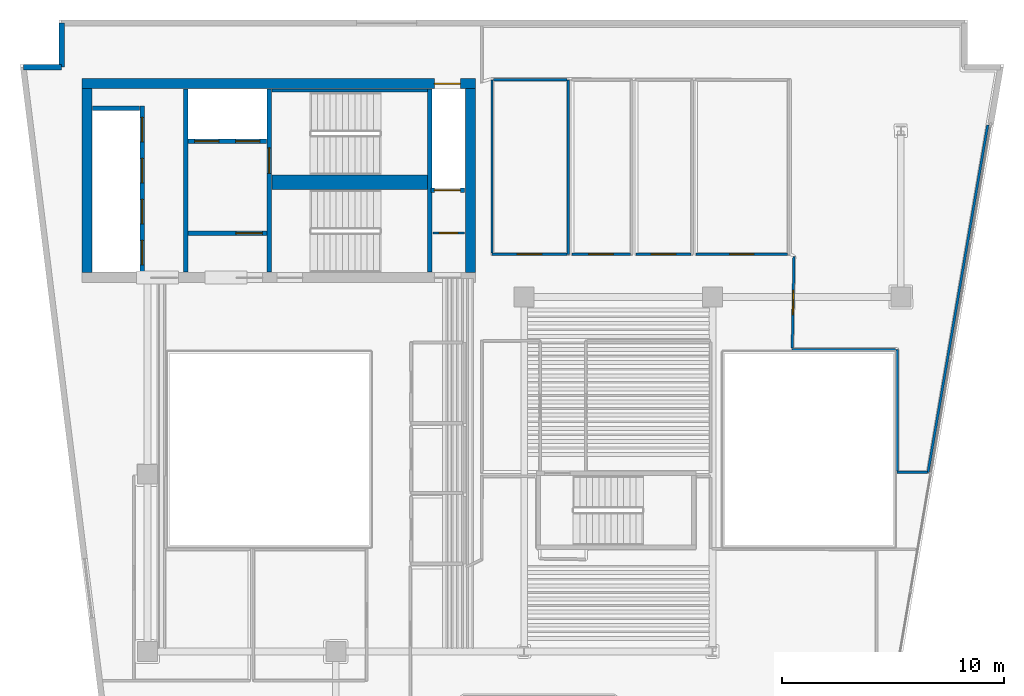
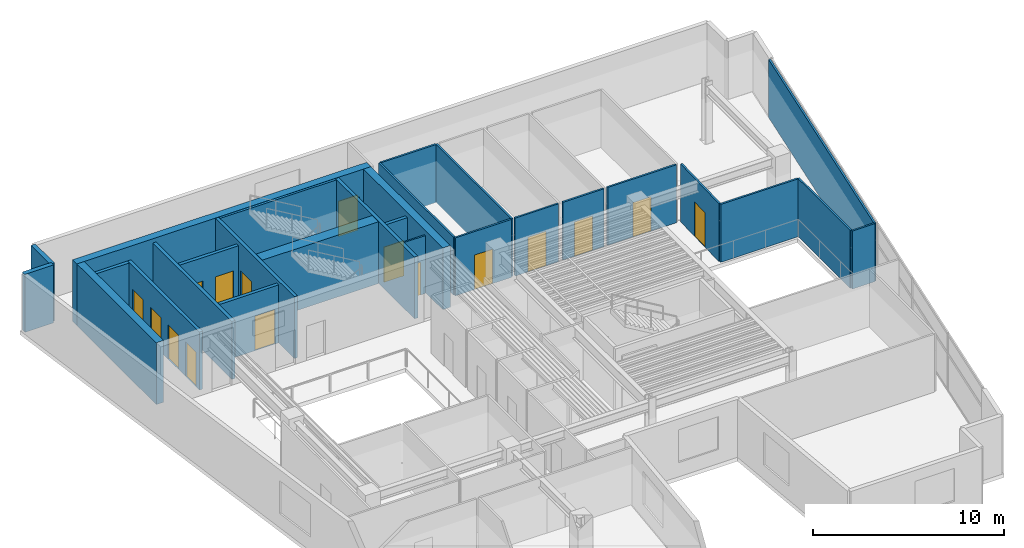
# One storey, part 5 of 9: 28 walls, 16 doors, 16 openings.
"""IFC4 building model written with IfcOpenShell, lengths in metres."""

from ifc_helpers import new_model, si_unit, direction, frame, frame_2d, origin, place, context, subcontext, project, spatial, rectangle, extrude, material, layer, layer_set, type_object, element, fill, save


model = new_model("IFC4")

# Units and contexts
model_context = context("Model", 3, precision=1e-05, world=origin(), true_north=direction((0.0, 1.0)))
body_context = subcontext(model_context, "Body", "Model", "MODEL_VIEW")
ifc_project = project(units=[si_unit("LENGTHUNIT", "METRE"), si_unit("AREAUNIT", "SQUARE_METRE"), si_unit("VOLUMEUNIT", "CUBIC_METRE"), si_unit("PLANEANGLEUNIT", "RADIAN"), si_unit("MASSUNIT", "GRAM", prefix="KILO")], contexts=[model_context])

# Site, building, storey
site_placement = place(None, origin())
site = spatial("IfcSite", under=ifc_project, at=site_placement, CompositionType="ELEMENT")
building_placement = place(site_placement, origin())
building = spatial("IfcBuilding", under=site, at=building_placement, Name="Caeloran Harvest Quay", CompositionType="ELEMENT")
storey_placement = place(building_placement, frame((0.0, 0.0, 199.550048828125)))
storey = spatial("IfcBuildingStorey", under=building, at=storey_placement, Name="L47", CompositionType="ELEMENT", Elevation=199.550048828125)

# Walls
ifc_material_1 = material(Name="Precast concrete C50/60", Category="concrete")
ifc_layer_1 = layer(ifc_material_1, 0.260009765625, Name="Precast concrete C50/60")
ifc_layer_set_1 = layer_set([ifc_layer_1], Name="Precast concrete C50/60")
wall_type_1 = type_object("IfcWallType", Name="ENV-WALL-EW-260", PredefinedType="STANDARD", material=ifc_layer_set_1)
wall_1_placement = place(storey_placement, frame((2.89599609375, 41.3701171875, 0.0), z_axis=(0.0, 0.0, 1.0), x_axis=(1.0, 0.0, 0.0)))
element("IfcWall", 1, at=wall_1_placement, inside=storey, type_object=wall_type_1, Name="L47 Exterior Precast Concrete Facade Wall 4", PredefinedType="STANDARD", context=body_context, shape_type="SweptSolid", body=[
    extrude(rectangle(XDim=1.73388671875, YDim=0.260009765625, at=frame_2d((0.866943359375, 0.0))), origin(), (0.0, 0.0, 1.0), 3.699951171875),
])
wall_2_placement = place(storey_placement, frame((4.6298828125, 41.3701171875, 0.0), z_axis=(0.0, 0.0, 1.0), x_axis=(0.0, 1.0, 0.0)))
element("IfcWall", 2, at=wall_2_placement, inside=storey, type_object=wall_type_1, Name="L47 Exterior Precast Concrete Facade Wall 5", PredefinedType="STANDARD", context=body_context, shape_type="SweptSolid", body=[
    extrude(rectangle(XDim=2.0, YDim=0.260009765625, at=frame_2d((1.0, 0.0))), origin(), (0.0, 0.0, 1.0), 3.699951171875),
])

# Wall, opening, door
ifc_material_2 = material(Name="Fire-Resisting Gypsum Core Riser Partition", Category="gypsum")
ifc_layer_2 = layer(ifc_material_2, 0.10009765625, Name="Fire-Resisting Gypsum Core Riser Partition")
ifc_layer_set_2 = layer_set([ifc_layer_2], Name="Fire-Resisting Gypsum Core Riser Partition")
wall_type_2 = type_object("IfcWallType", Name="INT-WALL-PW-100", PredefinedType="PARTITIONING", material=ifc_layer_set_2)
wall_3_placement = place(storey_placement, frame((21.3798828125, 33.889892578125, 0.0), z_axis=(0.0, 0.0, 1.0), x_axis=(1.0, 0.0, 0.0)))
wall_3 = element("IfcWall", 3, at=wall_3_placement, inside=storey, type_object=wall_type_2, Name="L47 Cleaner Store Partition Wall", PredefinedType="PARTITIONING", context=body_context, shape_type="SweptSolid", body=[
    extrude(rectangle(XDim=1.420166015625, YDim=0.10009765625, at=frame_2d((0.7099609375, 0.0))), origin(), (0.0, 0.0, 1.0), 3.699951171875),
])
opening_1_placement = place(wall_3_placement, frame((0.280029296875, 0.0, 0.0)))
opening_1 = element("IfcOpeningElement", 4, at=opening_1_placement, cuts=wall_3, Name="Opening SV-01", PredefinedType="OPENING", context=body_context, shape_type="SweptSolid", body=[
    extrude(rectangle(XDim=0.85009765625, YDim=2.10009765625, at=frame_2d((0.425048828125, 1.050048828125))), frame((0.0, 0.06005859375, 0.0), z_axis=(0.0, -1.0, 0.0), x_axis=(1.0, 0.0, 0.0)), (0.0, 0.0, 1.0), 0.1201171875),
])
ifc_material_3 = material(Name="Galvanized Painted Steel", Category="steel")
door_type_1 = type_object("IfcDoorType", Name="INTDOOR-SV-01", OperationType="NOTDEFINED", PredefinedType="DOOR", material=ifc_material_3)
door_1_placement = place(opening_1_placement, origin())
door_1 = element("IfcDoor", 5, at=door_1_placement, inside=storey, type_object=door_type_1, Name="L47 Cleaner Supply Store Access Door", OperationType="SINGLE_SWING_RIGHT", OverallHeight=2.10009765625, OverallWidth=0.85009765625, PredefinedType="DOOR", context=body_context, shape_type="SweptSolid", body=[
    extrude(rectangle(XDim=0.85009765625, YDim=2.10009765625, at=frame_2d((0.425048828125, 1.050048828125))), frame((0.0, 0.02490234375, 0.0), z_axis=(0.0, -1.0, 0.0), x_axis=(1.0, 0.0, 0.0)), (0.0, 0.0, 1.0), 0.050048828125),
])
fill(opening_1, door_1)

# Wall
ifc_material_4 = material(Name="Single-Stud Acoustic Gypsum Office Partition", Category="gypsum")
ifc_layer_3 = layer(ifc_material_4, 0.112060546875, Name="Single-Stud Acoustic Gypsum Office Partition")
ifc_layer_set_3 = layer_set([ifc_layer_3], Name="Single-Stud Acoustic Gypsum Office Partition")
wall_type_3 = type_object("IfcWallType", Name="INT-WALL-PW-112", PredefinedType="PARTITIONING", material=ifc_layer_set_3)
wall_4_placement = place(storey_placement, frame((27.5, 40.800048828125, 0.0), z_axis=(0.0, 0.0, 1.0), x_axis=(0.0, -1.0, 0.0)))
element("IfcWall", 6, at=wall_4_placement, inside=storey, type_object=wall_type_3, Name="L47 Bioinformatics Briefing Lounge Partition Wall", PredefinedType="PARTITIONING", context=body_context, shape_type="SweptSolid", body=[
    extrude(rectangle(XDim=7.880126953125, YDim=0.112060546875, at=frame_2d((3.93994140625, 0.0))), origin(), (0.0, 0.0, 1.0), 3.699951171875),
])

# Wall, opening, door
wall_5_placement = place(storey_placement, frame((27.43896484375, 32.919921875, 0.0), z_axis=(0.0, 0.0, 1.0), x_axis=(-1.0, 0.0, 0.0)))
wall_5 = element("IfcWall", 7, at=wall_5_placement, inside=storey, type_object=wall_type_3, Name="L47 Bioinformatics Briefing Lounge Partition Wall", PredefinedType="PARTITIONING", context=body_context, shape_type="SweptSolid", body=[
    extrude(rectangle(XDim=3.388916015625, YDim=0.112060546875, at=frame_2d((1.6943359375, 0.0))), origin(), (0.0, 0.0, 1.0), 3.699951171875),
])
opening_2_placement = place(wall_5_placement, frame((1.14453125, 0.0, 0.0)))
opening_2 = element("IfcOpeningElement", 8, at=opening_2_placement, cuts=wall_5, Name="Opening ID-04", PredefinedType="OPENING", context=body_context, shape_type="SweptSolid", body=[
    extrude(rectangle(XDim=1.10009765625, YDim=2.199951171875, at=frame_2d((0.550048828125, 1.10009765625))), frame((0.0, 0.06591796875, 0.0), z_axis=(0.0, -1.0, 0.0), x_axis=(1.0, 0.0, 0.0)), (0.0, 0.0, 1.0), 0.132080078125),
])
ifc_material_5 = material(Name="Acoustic Walnut Veneer Executive Door", Category="wood")
door_type_2 = type_object("IfcDoorType", Name="INTDOOR-ID-04", OperationType="NOTDEFINED", PredefinedType="DOOR", material=ifc_material_5)
door_2_placement = place(opening_2_placement, origin())
door_2 = element("IfcDoor", 9, at=door_2_placement, inside=storey, type_object=door_type_2, Name="L47 Bioinformatics Briefing Lounge Access Door", OperationType="SINGLE_SWING_RIGHT", OverallHeight=2.199951171875, OverallWidth=1.10009765625, PredefinedType="DOOR", context=body_context, shape_type="SweptSolid", body=[
    extrude(rectangle(XDim=1.10009765625, YDim=2.199951171875, at=frame_2d((0.550048828125, 1.10009765625))), frame((0.0, 0.02490234375, 0.0), z_axis=(0.0, -1.0, 0.0), x_axis=(1.0, 0.0, 0.0)), (0.0, 0.0, 1.0), 0.050048828125),
])
fill(opening_2, door_2)

# Walls
wall_6_placement = place(storey_placement, frame((24.050048828125, 32.98095703125, 0.0), z_axis=(0.0, 0.0, 1.0), x_axis=(0.0, 1.0, 0.0)))
element("IfcWall", 10, at=wall_6_placement, inside=storey, type_object=wall_type_3, Name="L47 Bioinformatics Briefing Lounge Partition Wall", PredefinedType="PARTITIONING", context=body_context, shape_type="SweptSolid", body=[
    extrude(rectangle(XDim=7.819091796875, YDim=0.112060546875, at=frame_2d((3.90966796875, 0.0))), origin(), (0.0, 0.0, 1.0), 3.699951171875),
])
wall_7_placement = place(storey_placement, frame((24.111083984375, 40.800048828125, 0.0), z_axis=(0.0, 0.0, 1.0), x_axis=(1.0, 0.0, 0.0)))
element("IfcWall", 11, at=wall_7_placement, inside=storey, type_object=wall_type_3, Name="L47 Bioinformatics Briefing Lounge Partition Wall", PredefinedType="PARTITIONING", context=body_context, shape_type="SweptSolid", body=[
    extrude(rectangle(XDim=3.327880859375, YDim=0.112060546875, at=frame_2d((1.6640625, 0.0))), origin(), (0.0, 0.0, 1.0), 3.699951171875),
])

# Wall, opening, door
wall_8_placement = place(storey_placement, frame((30.2890625, 32.919921875, 0.0), z_axis=(0.0, 0.0, 1.0), x_axis=(-1.0, 0.0, 0.0)))
wall_8 = element("IfcWall", 12, at=wall_8_placement, inside=storey, type_object=wall_type_3, Name="L47 Seed Imaging Laboratory Partition Wall", PredefinedType="PARTITIONING", context=body_context, shape_type="SweptSolid", body=[
    extrude(rectangle(XDim=2.629150390625, YDim=0.112060546875, at=frame_2d((1.314453125, 0.0))), origin(), (0.0, 0.0, 1.0), 3.699951171875),
])
opening_3_placement = place(wall_8_placement, frame((0.764404296875, 0.0, 0.0)))
opening_3 = element("IfcOpeningElement", 13, at=opening_3_placement, cuts=wall_8, Name="Opening ID-04", PredefinedType="OPENING", context=body_context, shape_type="SweptSolid", body=[
    extrude(rectangle(XDim=1.10009765625, YDim=2.199951171875, at=frame_2d((0.550048828125, 1.10009765625))), frame((0.0, 0.06591796875, 0.0), z_axis=(0.0, -1.0, 0.0), x_axis=(1.0, 0.0, 0.0)), (0.0, 0.0, 1.0), 0.132080078125),
])
door_3_placement = place(opening_3_placement, origin())
door_3 = element("IfcDoor", 14, at=door_3_placement, inside=storey, type_object=door_type_2, Name="L47 Seed Imaging Laboratory Access Door", OperationType="SINGLE_SWING_LEFT", OverallHeight=2.199951171875, OverallWidth=1.10009765625, PredefinedType="DOOR", context=body_context, shape_type="SweptSolid", body=[
    extrude(rectangle(XDim=1.10009765625, YDim=2.199951171875, at=frame_2d((0.550048828125, 1.10009765625))), frame((0.0, 0.02490234375, 0.0), z_axis=(0.0, -1.0, 0.0), x_axis=(1.0, 0.0, 0.0)), (0.0, 0.0, 1.0), 0.050048828125),
])
fill(opening_3, door_3)

wall_9_placement = place(storey_placement, frame((33.029052734375, 32.919921875, 0.0), z_axis=(0.0, 0.0, 1.0), x_axis=(-1.0, 0.0, 0.0)))
wall_9 = element("IfcWall", 15, at=wall_9_placement, inside=storey, type_object=wall_type_3, Name="L47 Genomics Seminar West Room Partition Wall", PredefinedType="PARTITIONING", context=body_context, shape_type="SweptSolid", body=[
    extrude(rectangle(XDim=2.47900390625, YDim=0.112060546875, at=frame_2d((1.239501953125, 0.0))), origin(), (0.0, 0.0, 1.0), 3.699951171875),
])
opening_4_placement = place(wall_9_placement, frame((0.689453125, 0.0, 0.0)))
opening_4 = element("IfcOpeningElement", 16, at=opening_4_placement, cuts=wall_9, Name="Opening ID-04", PredefinedType="OPENING", context=body_context, shape_type="SweptSolid", body=[
    extrude(rectangle(XDim=1.10009765625, YDim=2.199951171875, at=frame_2d((0.550048828125, 1.10009765625))), frame((0.0, 0.06591796875, 0.0), z_axis=(0.0, -1.0, 0.0), x_axis=(1.0, 0.0, 0.0)), (0.0, 0.0, 1.0), 0.132080078125),
])
door_4_placement = place(opening_4_placement, origin())
door_4 = element("IfcDoor", 17, at=door_4_placement, inside=storey, type_object=door_type_2, Name="L47 Genomics Seminar West Room Access Door", OperationType="SINGLE_SWING_RIGHT", OverallHeight=2.199951171875, OverallWidth=1.10009765625, PredefinedType="DOOR", context=body_context, shape_type="SweptSolid", body=[
    extrude(rectangle(XDim=1.10009765625, YDim=2.199951171875, at=frame_2d((0.550048828125, 1.10009765625))), frame((0.0, 0.02490234375, 0.0), z_axis=(0.0, -1.0, 0.0), x_axis=(1.0, 0.0, 0.0)), (0.0, 0.0, 1.0), 0.050048828125),
])
fill(opening_4, door_4)

wall_10_placement = place(storey_placement, frame((37.388916015625, 32.919921875, 0.0), z_axis=(0.0, 0.0, 1.0), x_axis=(-1.0, 0.0, 0.0)))
wall_10 = element("IfcWall", 18, at=wall_10_placement, inside=storey, type_object=wall_type_3, Name="L47 Executive Archive East Studio Partition Wall", PredefinedType="PARTITIONING", context=body_context, shape_type="SweptSolid", body=[
    extrude(rectangle(XDim=4.138916015625, YDim=0.112060546875, at=frame_2d((2.0693359375, 0.0))), origin(), (0.0, 0.0, 1.0), 3.699951171875),
])
opening_5_placement = place(wall_10_placement, frame((1.51953125, 0.0, 0.0)))
opening_5 = element("IfcOpeningElement", 19, at=opening_5_placement, cuts=wall_10, Name="Opening ID-04", PredefinedType="OPENING", context=body_context, shape_type="SweptSolid", body=[
    extrude(rectangle(XDim=1.10009765625, YDim=2.199951171875, at=frame_2d((0.550048828125, 1.10009765625))), frame((0.0, 0.06591796875, 0.0), z_axis=(0.0, -1.0, 0.0), x_axis=(1.0, 0.0, 0.0)), (0.0, 0.0, 1.0), 0.132080078125),
])
door_5_placement = place(opening_5_placement, origin())
door_5 = element("IfcDoor", 20, at=door_5_placement, inside=storey, type_object=door_type_2, Name="L47 Executive Archive East Studio Access Door", OperationType="SINGLE_SWING_LEFT", OverallHeight=2.199951171875, OverallWidth=1.10009765625, PredefinedType="DOOR", context=body_context, shape_type="SweptSolid", body=[
    extrude(rectangle(XDim=1.10009765625, YDim=2.199951171875, at=frame_2d((0.550048828125, 1.10009765625))), frame((0.0, 0.02490234375, 0.0), z_axis=(0.0, -1.0, 0.0), x_axis=(1.0, 0.0, 0.0)), (0.0, 0.0, 1.0), 0.050048828125),
])
fill(opening_5, door_5)

# Walls
wall_11_placement = place(storey_placement, frame((46.422119140625, 38.7626953125, 0.0), z_axis=(0.0, 0.0, 1.0), x_axis=(-0.169427539839, -0.985542646842, 0.0)))
element("IfcWall", 21, at=wall_11_placement, inside=storey, type_object=wall_type_3, Name="IT Comms Laboratory Partition Wall", PredefinedType="PARTITIONING", context=body_context, shape_type="SweptSolid", body=[
    extrude(rectangle(XDim=15.91259765625, YDim=0.112060546875, at=frame_2d((7.956298828125, 0.0))), origin(), (0.0, 0.0, 1.0), 3.699951171875),
])
wall_12_placement = place(storey_placement, frame((43.696533203125, 23.080078125, 0.0), z_axis=(0.0, 0.0, 1.0), x_axis=(-1.0, 0.0, 0.0)))
element("IfcWall", 22, at=wall_12_placement, inside=storey, type_object=wall_type_3, Name="IT Comms Laboratory Partition Wall", PredefinedType="PARTITIONING", context=body_context, shape_type="SweptSolid", body=[
    extrude(rectangle(XDim=1.366455078125, YDim=0.112060546875, at=frame_2d((0.68310546875, 0.0))), origin(), (0.0, 0.0, 1.0), 3.699951171875),
])
wall_13_placement = place(storey_placement, frame((42.330078125, 23.14111328125, 0.0), z_axis=(0.0, 0.0, 1.0), x_axis=(0.0, 1.0, 0.0)))
element("IfcWall", 23, at=wall_13_placement, inside=storey, type_object=wall_type_3, Name="IT Comms Laboratory Partition Wall", PredefinedType="PARTITIONING", context=body_context, shape_type="SweptSolid", body=[
    extrude(rectangle(XDim=5.48876953125, YDim=0.112060546875, at=frame_2d((2.744384765625, 0.0))), origin(), (0.0, 0.0, 1.0), 3.699951171875),
])
wall_14_placement = place(storey_placement, frame((42.26904296875, 28.6298828125, 0.0), z_axis=(0.0, 0.0, 1.0), x_axis=(-1.0, 0.0, 0.0)))
element("IfcWall", 24, at=wall_14_placement, inside=storey, type_object=wall_type_3, Name="IT Comms Laboratory Partition Wall", PredefinedType="PARTITIONING", context=body_context, shape_type="SweptSolid", body=[
    extrude(rectangle(XDim=4.671142578125, YDim=0.112060546875, at=frame_2d((2.33544921875, 0.0))), origin(), (0.0, 0.0, 1.0), 3.699951171875),
])

# Wall, opening, door
wall_15_placement = place(storey_placement, frame((37.59912109375, 28.69091796875, 0.0), z_axis=(0.0, 0.0, 1.0), x_axis=(0.019566997539, 0.999808547977, 0.0)))
wall_15 = element("IfcWall", 25, at=wall_15_placement, inside=storey, type_object=wall_type_3, Name="IT Comms Laboratory Partition Wall", PredefinedType="PARTITIONING", context=body_context, shape_type="SweptSolid", body=[
    extrude(rectangle(XDim=4.1298828125, YDim=0.112060546875, at=frame_2d((2.06494140625, 0.0))), origin(), (0.0, 0.0, 1.0), 3.699951171875),
])
opening_6_placement = place(wall_15_placement, frame((1.514892578125, 0.0, 0.0)))
opening_6 = element("IfcOpeningElement", 26, at=opening_6_placement, cuts=wall_15, Name="Opening ID-04", PredefinedType="OPENING", context=body_context, shape_type="SweptSolid", body=[
    extrude(rectangle(XDim=1.10009765625, YDim=2.199951171875, at=frame_2d((0.550048828125, 1.10009765625))), frame((0.0, 0.06591796875, 0.0), z_axis=(0.0, -1.0, 0.0), x_axis=(1.0, 0.0, 0.0)), (0.0, 0.0, 1.0), 0.132080078125),
])
door_6_placement = place(opening_6_placement, origin())
door_6 = element("IfcDoor", 27, at=door_6_placement, inside=storey, type_object=door_type_2, Name="IT Comms Laboratory Access Door", OperationType="SINGLE_SWING_RIGHT", OverallHeight=2.199951171875, OverallWidth=1.10009765625, PredefinedType="DOOR", context=body_context, shape_type="SweptSolid", body=[
    extrude(rectangle(XDim=1.10009765625, YDim=2.199951171875, at=frame_2d((0.550048828125, 1.10009765625))), frame((0.0, 0.02490234375, 0.0), z_axis=(0.0, -1.0, 0.0), x_axis=(1.0, 0.0, 0.0)), (0.0, 0.0, 1.0), 0.050048828125),
])
fill(opening_6, door_6)

# Wall, openings, doors
ifc_material_6 = material(Name="Concrete C50/60", Category="concrete")
ifc_layer_4 = layer(ifc_material_6, 0.199951171875, Name="Concrete C50/60")
ifc_layer_set_4 = layer_set([ifc_layer_4], Name="Concrete C50/60")
wall_type_4 = type_object("IfcWallType", Name="INT-WALL-SW-200", PredefinedType="PARTITIONING", material=ifc_layer_set_4)
wall_16_placement = place(storey_placement, frame((8.260009765625, 32.1201171875, 0.0), z_axis=(0.0, 0.0, 1.0), x_axis=(0.0, 1.0, 0.0)))
wall_16 = element("IfcWall", 28, at=wall_16_placement, inside=storey, type_object=wall_type_4, Name="L47 Bank 3 Lift Shaft Wall", PredefinedType="PARTITIONING", context=body_context, shape_type="SweptSolid", body=[
    extrude(rectangle(XDim=7.5, YDim=0.199951171875, at=frame_2d((3.75, 0.0))), origin(), (0.0, 0.0, 1.0), 3.699951171875),
])
opening_7_placement = place(wall_16_placement, frame((0.330078125, 0.0, 0.0)))
opening_7 = element("IfcOpeningElement", 29, at=opening_7_placement, cuts=wall_16, Name="Opening LD-01", PredefinedType="OPENING", context=body_context, shape_type="SweptSolid", body=[
    extrude(rectangle(XDim=1.10009765625, YDim=2.199951171875, at=frame_2d((0.550048828125, 1.10009765625))), frame((0.0, 0.10986328125, 0.0), z_axis=(0.0, -1.0, 0.0), x_axis=(1.0, 0.0, 0.0)), (0.0, 0.0, 1.0), 0.219970703125),
])
opening_8_placement = place(wall_16_placement, frame((2.179931640625, 0.0, 0.0)))
opening_8 = element("IfcOpeningElement", 30, at=opening_8_placement, cuts=wall_16, Name="Opening LD-01", PredefinedType="OPENING", context=body_context, shape_type="SweptSolid", body=[
    extrude(rectangle(XDim=1.10009765625, YDim=2.199951171875, at=frame_2d((0.550048828125, 1.10009765625))), frame((0.0, 0.10986328125, 0.0), z_axis=(0.0, -1.0, 0.0), x_axis=(1.0, 0.0, 0.0)), (0.0, 0.0, 1.0), 0.219970703125),
])
opening_9_placement = place(wall_16_placement, frame((4.030029296875, 0.0, 0.0)))
opening_9 = element("IfcOpeningElement", 31, at=opening_9_placement, cuts=wall_16, Name="Opening LD-01", PredefinedType="OPENING", context=body_context, shape_type="SweptSolid", body=[
    extrude(rectangle(XDim=1.10009765625, YDim=2.199951171875, at=frame_2d((0.550048828125, 1.10009765625))), frame((0.0, 0.10986328125, 0.0), z_axis=(0.0, -1.0, 0.0), x_axis=(1.0, 0.0, 0.0)), (0.0, 0.0, 1.0), 0.219970703125),
])
opening_10_placement = place(wall_16_placement, frame((5.8798828125, 0.0, 0.0)))
opening_10 = element("IfcOpeningElement", 32, at=opening_10_placement, cuts=wall_16, Name="Opening LD-01", PredefinedType="OPENING", context=body_context, shape_type="SweptSolid", body=[
    extrude(rectangle(XDim=1.10009765625, YDim=2.199951171875, at=frame_2d((0.550048828125, 1.10009765625))), frame((0.0, 0.10986328125, 0.0), z_axis=(0.0, -1.0, 0.0), x_axis=(1.0, 0.0, 0.0)), (0.0, 0.0, 1.0), 0.219970703125),
])
ifc_material_7 = material(Name="Stainless Steel Grade 316", Category="steel")
door_type_3 = type_object("IfcDoorType", Name="INTDOOR-LD-01", OperationType="NOTDEFINED", PredefinedType="DOOR", material=ifc_material_7)
door_7_placement = place(opening_7_placement, origin())
door_7 = element("IfcDoor", 33, at=door_7_placement, inside=storey, type_object=door_type_3, Name="Lift P3-1 Sliding Landing Door (L47)", OperationType="DOUBLE_DOOR_SLIDING", OverallHeight=2.199951171875, OverallWidth=1.10009765625, PredefinedType="DOOR", context=body_context, shape_type="SweptSolid", body=[
    extrude(rectangle(XDim=1.10009765625, YDim=2.199951171875, at=frame_2d((0.550048828125, 1.10009765625))), frame((0.0, 0.02490234375, 0.0), z_axis=(0.0, -1.0, 0.0), x_axis=(1.0, 0.0, 0.0)), (0.0, 0.0, 1.0), 0.050048828125),
])
fill(opening_7, door_7)
door_8_placement = place(opening_8_placement, origin())
door_8 = element("IfcDoor", 34, at=door_8_placement, inside=storey, type_object=door_type_3, Name="Lift P3-2 Sliding Landing Door (L47)", OperationType="DOUBLE_DOOR_SLIDING", OverallHeight=2.199951171875, OverallWidth=1.10009765625, PredefinedType="DOOR", context=body_context, shape_type="SweptSolid", body=[
    extrude(rectangle(XDim=1.10009765625, YDim=2.199951171875, at=frame_2d((0.550048828125, 1.10009765625))), frame((0.0, 0.02490234375, 0.0), z_axis=(0.0, -1.0, 0.0), x_axis=(1.0, 0.0, 0.0)), (0.0, 0.0, 1.0), 0.050048828125),
])
fill(opening_8, door_8)
door_9_placement = place(opening_9_placement, origin())
door_9 = element("IfcDoor", 35, at=door_9_placement, inside=storey, type_object=door_type_3, Name="Lift P3-3 Sliding Landing Door (L47)", OperationType="DOUBLE_DOOR_SLIDING", OverallHeight=2.199951171875, OverallWidth=1.10009765625, PredefinedType="DOOR", context=body_context, shape_type="SweptSolid", body=[
    extrude(rectangle(XDim=1.10009765625, YDim=2.199951171875, at=frame_2d((0.550048828125, 1.10009765625))), frame((0.0, 0.02490234375, 0.0), z_axis=(0.0, -1.0, 0.0), x_axis=(1.0, 0.0, 0.0)), (0.0, 0.0, 1.0), 0.050048828125),
])
fill(opening_9, door_9)
door_10_placement = place(opening_10_placement, origin())
door_10 = element("IfcDoor", 36, at=door_10_placement, inside=storey, type_object=door_type_3, Name="Lift P3-4 Sliding Landing Door (L47)", OperationType="DOUBLE_DOOR_SLIDING", OverallHeight=2.199951171875, OverallWidth=1.10009765625, PredefinedType="DOOR", context=body_context, shape_type="SweptSolid", body=[
    extrude(rectangle(XDim=1.10009765625, YDim=2.199951171875, at=frame_2d((0.550048828125, 1.10009765625))), frame((0.0, 0.02490234375, 0.0), z_axis=(0.0, -1.0, 0.0), x_axis=(1.0, 0.0, 0.0)), (0.0, 0.0, 1.0), 0.050048828125),
])
fill(opening_10, door_10)

# Walls
wall_17_placement = place(storey_placement, frame((6.02001953125, 39.52001953125, 0.0), z_axis=(0.0, 0.0, 1.0), x_axis=(1.0, 0.0, 0.0)))
element("IfcWall", 37, at=wall_17_placement, inside=storey, type_object=wall_type_4, Name="L47 Bank 3 Lift Shaft North End Wall", PredefinedType="PARTITIONING", context=body_context, shape_type="SweptSolid", body=[
    extrude(rectangle(XDim=2.119873046875, YDim=0.199951171875, at=frame_2d((1.06005859375, 0.0))), origin(), (0.0, 0.0, 1.0), 3.699951171875),
])
wall_18_placement = place(storey_placement, frame((10.219970703125, 32.1201171875, 0.0), z_axis=(0.0, 0.0, 1.0), x_axis=(0.0, 1.0, 0.0)))
element("IfcWall", 38, at=wall_18_placement, inside=storey, type_object=wall_type_4, Name="L47 Core Lobby Compartment Wall", PredefinedType="PARTITIONING", context=body_context, shape_type="SweptSolid", body=[
    extrude(rectangle(XDim=8.259765625, YDim=0.199951171875, at=frame_2d((4.1298828125, 0.0))), origin(), (0.0, 0.0, 1.0), 3.699951171875),
])

# Wall, openings, doors
wall_19_placement = place(storey_placement, frame((10.340087890625, 38.02001953125, 0.0), z_axis=(0.0, 0.0, 1.0), x_axis=(1.0, 0.0, 0.0)))
wall_19 = element("IfcWall", 39, at=wall_19_placement, inside=storey, type_object=wall_type_4, Name="L47 Firefighting Lift Shaft Wall", PredefinedType="PARTITIONING", context=body_context, shape_type="SweptSolid", body=[
    extrude(rectangle(XDim=3.539794921875, YDim=0.199951171875, at=frame_2d((1.77001953125, 0.0))), origin(), (0.0, 0.0, 1.0), 3.699951171875),
])
opening_11_placement = place(wall_19_placement, frame((0.284912109375, 0.0, 0.0)))
opening_11 = element("IfcOpeningElement", 40, at=opening_11_placement, cuts=wall_19, Name="Opening LD-01", PredefinedType="OPENING", context=body_context, shape_type="SweptSolid", body=[
    extrude(rectangle(XDim=1.10009765625, YDim=2.199951171875, at=frame_2d((0.550048828125, 1.10009765625))), frame((0.0, 0.10986328125, 0.0), z_axis=(0.0, -1.0, 0.0), x_axis=(1.0, 0.0, 0.0)), (0.0, 0.0, 1.0), 0.219970703125),
])
opening_12_placement = place(wall_19_placement, frame((2.135009765625, 0.0, 0.0)))
opening_12 = element("IfcOpeningElement", 41, at=opening_12_placement, cuts=wall_19, Name="Opening LD-01", PredefinedType="OPENING", context=body_context, shape_type="SweptSolid", body=[
    extrude(rectangle(XDim=1.10009765625, YDim=2.199951171875, at=frame_2d((0.550048828125, 1.10009765625))), frame((0.0, 0.10986328125, 0.0), z_axis=(0.0, -1.0, 0.0), x_axis=(1.0, 0.0, 0.0)), (0.0, 0.0, 1.0), 0.219970703125),
])
door_11_placement = place(opening_11_placement, origin())
door_11 = element("IfcDoor", 42, at=door_11_placement, inside=storey, type_object=door_type_3, Name="Lift FF-1 Sliding Landing Door (L47)", OperationType="DOUBLE_DOOR_SLIDING", OverallHeight=2.199951171875, OverallWidth=1.10009765625, PredefinedType="DOOR", context=body_context, shape_type="SweptSolid", body=[
    extrude(rectangle(XDim=1.10009765625, YDim=2.199951171875, at=frame_2d((0.550048828125, 1.10009765625))), frame((0.0, 0.02490234375, 0.0), z_axis=(0.0, -1.0, 0.0), x_axis=(1.0, 0.0, 0.0)), (0.0, 0.0, 1.0), 0.050048828125),
])
fill(opening_11, door_11)
door_12_placement = place(opening_12_placement, origin())
door_12 = element("IfcDoor", 43, at=door_12_placement, inside=storey, type_object=door_type_3, Name="Lift FF-2 Sliding Landing Door (L47)", OperationType="DOUBLE_DOOR_SLIDING", OverallHeight=2.199951171875, OverallWidth=1.10009765625, PredefinedType="DOOR", context=body_context, shape_type="SweptSolid", body=[
    extrude(rectangle(XDim=1.10009765625, YDim=2.199951171875, at=frame_2d((0.550048828125, 1.10009765625))), frame((0.0, 0.02490234375, 0.0), z_axis=(0.0, -1.0, 0.0), x_axis=(1.0, 0.0, 0.0)), (0.0, 0.0, 1.0), 0.050048828125),
])
fill(opening_12, door_12)

# Wall, opening, door
wall_20_placement = place(storey_placement, frame((10.340087890625, 33.8798828125, 0.0), z_axis=(0.0, 0.0, 1.0), x_axis=(1.0, 0.0, 0.0)))
wall_20 = element("IfcWall", 44, at=wall_20_placement, inside=storey, type_object=wall_type_4, Name="L47 Firefighting Lift Lobby Enclosure Wall", PredefinedType="PARTITIONING", context=body_context, shape_type="SweptSolid", body=[
    extrude(rectangle(XDim=3.559814453125, YDim=0.199951171875, at=frame_2d((1.77978515625, 0.0))), origin(), (0.0, 0.0, 1.0), 3.699951171875),
])
opening_13_placement = place(wall_20_placement, frame((2.14990234375, 0.0, 0.0)))
opening_13 = element("IfcOpeningElement", 45, at=opening_13_placement, cuts=wall_20, Name="Opening FD-01", PredefinedType="OPENING", context=body_context, shape_type="SweptSolid", body=[
    extrude(rectangle(XDim=1.199951171875, YDim=2.199951171875, at=frame_2d((0.60009765625, 1.10009765625))), frame((0.0, 0.10986328125, 0.0), z_axis=(0.0, -1.0, 0.0), x_axis=(1.0, 0.0, 0.0)), (0.0, 0.0, 1.0), 0.219970703125),
])
ifc_material_8 = material(Name="Steel", Category="steel")
door_type_4 = type_object("IfcDoorType", Name="INTDOOR-FD-01", OperationType="NOTDEFINED", PredefinedType="DOOR", material=ifc_material_8)
door_13_placement = place(opening_13_placement, origin())
door_13 = element("IfcDoor", 46, at=door_13_placement, inside=storey, type_object=door_type_4, Name="L47 Firefighting Lift Lobby Smoke-Seal Fire Door", OperationType="SINGLE_SWING_RIGHT", OverallHeight=2.199951171875, OverallWidth=1.199951171875, PredefinedType="DOOR", context=body_context, shape_type="SweptSolid", body=[
    extrude(rectangle(XDim=1.199951171875, YDim=2.199951171875, at=frame_2d((0.60009765625, 1.10009765625))), frame((0.0, 0.02490234375, 0.0), z_axis=(0.0, -1.0, 0.0), x_axis=(1.0, 0.0, 0.0)), (0.0, 0.0, 1.0), 0.050048828125),
])
fill(opening_13, door_13)

wall_21_placement = place(storey_placement, frame((21.300048828125, 35.820068359375, 0.0), z_axis=(0.0, 0.0, 1.0), x_axis=(1.0, 0.0, 0.0)))
wall_21 = element("IfcWall", 47, at=wall_21_placement, inside=storey, type_object=wall_type_4, Name="L47 Service Lift SV-2 Shaft Wall", PredefinedType="PARTITIONING", context=body_context, shape_type="SweptSolid", body=[
    extrude(rectangle(XDim=1.5, YDim=0.199951171875, at=frame_2d((0.75, 0.0))), origin(), (0.0, 0.0, 1.0), 3.699951171875),
])
opening_14_placement = place(wall_21_placement, frame((0.14501953125, 0.0, 0.0)))
opening_14 = element("IfcOpeningElement", 48, at=opening_14_placement, cuts=wall_21, Name="Opening LD-02", PredefinedType="OPENING", context=body_context, shape_type="SweptSolid", body=[
    extrude(rectangle(XDim=1.179931640625, YDim=2.25, at=frame_2d((0.58984375, 1.125))), frame((0.0, 0.10986328125, 0.0), z_axis=(0.0, -1.0, 0.0), x_axis=(1.0, 0.0, 0.0)), (0.0, 0.0, 1.0), 0.219970703125),
])
door_type_5 = type_object("IfcDoorType", Name="INTDOOR-LD-02", OperationType="NOTDEFINED", PredefinedType="DOOR", material=ifc_material_7)
door_14_placement = place(opening_14_placement, origin())
door_14 = element("IfcDoor", 49, at=door_14_placement, inside=storey, type_object=door_type_5, Name="Lift SV-2 Sliding Landing Door (L47)", OperationType="DOUBLE_DOOR_SLIDING", OverallHeight=2.25, OverallWidth=1.179931640625, PredefinedType="DOOR", context=body_context, shape_type="SweptSolid", body=[
    extrude(rectangle(XDim=1.179931640625, YDim=2.25, at=frame_2d((0.58984375, 1.125))), frame((0.0, 0.02490234375, 0.0), z_axis=(0.0, -1.0, 0.0), x_axis=(1.0, 0.0, 0.0)), (0.0, 0.0, 1.0), 0.050048828125),
])
fill(opening_14, door_14)

ifc_material_9 = material(Name="Concrete C60/75", Category="concrete")
ifc_layer_5 = layer(ifc_material_9, 0.449951171875, Name="Concrete C60/75")
ifc_layer_set_5 = layer_set([ifc_layer_5], Name="Concrete C60/75")
wall_type_5 = type_object("IfcWallType", Name="STR-WALL-CW-450", PredefinedType="SHEAR", material=ifc_layer_set_5)
wall_22_placement = place(storey_placement, frame((5.550048828125, 40.625, 0.0), z_axis=(0.0, 0.0, 1.0), x_axis=(1.0, 0.0, 0.0)))
wall_22 = element("IfcWall", 50, at=wall_22_placement, inside=storey, type_object=wall_type_5, Name="L47 Rear Core Shear Wall N", PredefinedType="SHEAR", context=body_context, shape_type="SweptSolid", body=[
    extrude(rectangle(XDim=17.75, YDim=0.449951171875, at=frame_2d((8.875, 0.0))), origin(), (0.0, 0.0, 1.0), 3.949951171875),
])
opening_15_placement = place(wall_22_placement, frame((15.89501953125, 0.0, 0.0)))
opening_15 = element("IfcOpeningElement", 51, at=opening_15_placement, cuts=wall_22, Name="Opening LD-02", PredefinedType="OPENING", context=body_context, shape_type="SweptSolid", body=[
    extrude(rectangle(XDim=1.179931640625, YDim=2.25, at=frame_2d((0.58984375, 1.125))), frame((0.0, 0.23486328125, 0.0), z_axis=(0.0, -1.0, 0.0), x_axis=(1.0, 0.0, 0.0)), (0.0, 0.0, 1.0), 0.469970703125),
])
door_15_placement = place(opening_15_placement, origin())
door_15 = element("IfcDoor", 52, at=door_15_placement, inside=storey, type_object=door_type_5, Name="Lift SV-1 Sliding Landing Door (L47)", OperationType="DOUBLE_DOOR_SLIDING", OverallHeight=2.25, OverallWidth=1.179931640625, PredefinedType="DOOR", context=body_context, shape_type="SweptSolid", body=[
    extrude(rectangle(XDim=1.179931640625, YDim=2.25, at=frame_2d((0.58984375, 1.125))), frame((0.0, 0.02490234375, 0.0), z_axis=(0.0, -1.0, 0.0), x_axis=(1.0, 0.0, 0.0)), (0.0, 0.0, 1.0), 0.050048828125),
])
fill(opening_15, door_15)

# Walls
for number, where, z_axis, x_axis, name in (
    (53, (5.77490234375, 32.10009765625, 0.0), (0.0, 0.0, 1.0), (0.0, 1.0, 0.0), "L47 Rear Core Shear Wall W"),
    (54, (23.074951171875, 32.10009765625, 0.0), (0.0, 0.0, 1.0), (0.0, 1.0, 0.0), "L47 Rear Core Shear Wall E"),
):
    element("IfcWall", number, at=place(storey_placement, frame(where, z_axis=z_axis, x_axis=x_axis)), inside=storey, type_object=wall_type_5, Name=name, PredefinedType="SHEAR", context=body_context, shape_type="SweptSolid", body=[
        extrude(rectangle(XDim=8.2998046875, YDim=0.449951171875, at=frame_2d((4.14990234375, 0.0))), origin(), (0.0, 0.0, 1.0), 3.949951171875),
    ])
ifc_layer_6 = layer(ifc_material_9, 0.64990234375, Name="Concrete C60/75")
ifc_layer_set_6 = layer_set([ifc_layer_6], Name="Concrete C60/75")
wall_type_6 = type_object("IfcWallType", Name="STR-WALL-CW-650", PredefinedType="SHEAR", material=ifc_layer_set_6)
wall_23_placement = place(storey_placement, frame((14.1201171875, 36.175048828125, 0.0), z_axis=(0.0, 0.0, 1.0), x_axis=(1.0, 0.0, 0.0)))
element("IfcWall", 55, at=wall_23_placement, inside=storey, type_object=wall_type_6, Name="L47 Core Stairs Dividing Shear Wall", PredefinedType="SHEAR", context=body_context, shape_type="SweptSolid", body=[
    extrude(rectangle(XDim=7.009765625, YDim=0.64990234375, at=frame_2d((3.5048828125, 0.0))), origin(), (0.0, 0.0, 1.0), 3.949951171875),
])
ifc_layer_7 = layer(ifc_material_9, 0.139892578125, Name="Concrete C60/75")
ifc_layer_set_7 = layer_set([ifc_layer_7], Name="Concrete C60/75")
wall_type_7 = type_object("IfcWallType", Name="STR-WALL-SW-140", PredefinedType="SHEAR", material=ifc_layer_set_7)
wall_24_placement = place(storey_placement, frame((14.1201171875, 40.320068359375, 0.0), z_axis=(0.0, 0.0, 1.0), x_axis=(1.0, 0.0, 0.0)))
element("IfcWall", 56, at=wall_24_placement, inside=storey, type_object=wall_type_7, Name="L47 Core Stair ST-C1 North Bearing Shear Wall", PredefinedType="SHEAR", context=body_context, shape_type="SweptSolid", body=[
    extrude(rectangle(XDim=7.009765625, YDim=0.139892578125, at=frame_2d((3.5048828125, 0.0))), origin(), (0.0, 0.0, 1.0), 3.949951171875),
])

# Wall, opening, door
ifc_layer_8 = layer(ifc_material_9, 0.199951171875, Name="Concrete C60/75")
ifc_layer_set_8 = layer_set([ifc_layer_8], Name="Concrete C60/75")
wall_type_8 = type_object("IfcWallType", Name="STR-WALL-SW-200", PredefinedType="SHEAR", material=ifc_layer_set_8)
wall_25_placement = place(storey_placement, frame((14.0, 32.1201171875, 0.0), z_axis=(0.0, 0.0, 1.0), x_axis=(0.0, 1.0, 0.0)))
wall_25 = element("IfcWall", 57, at=wall_25_placement, inside=storey, type_object=wall_type_8, Name="L47 Core Stair Shaft West Shear Wall", PredefinedType="SHEAR", context=body_context, shape_type="SweptSolid", body=[
    extrude(rectangle(XDim=8.259765625, YDim=0.199951171875, at=frame_2d((4.1298828125, 0.0))), origin(), (0.0, 0.0, 1.0), 3.949951171875),
])
opening_16_placement = place(wall_25_placement, frame((4.4599609375, 0.0, 0.0)))
opening_16 = element("IfcOpeningElement", 58, at=opening_16_placement, cuts=wall_25, Name="Opening SD-01", PredefinedType="OPENING", context=body_context, shape_type="SweptSolid", body=[
    extrude(rectangle(XDim=1.14990234375, YDim=2.199951171875, at=frame_2d((0.574951171875, 1.10009765625))), frame((0.0, 0.10986328125, 0.0), z_axis=(0.0, -1.0, 0.0), x_axis=(1.0, 0.0, 0.0)), (0.0, 0.0, 1.0), 0.219970703125),
])
door_type_6 = type_object("IfcDoorType", Name="INTDOOR-SD-01", OperationType="NOTDEFINED", PredefinedType="DOOR", material=ifc_material_8)
door_16_placement = place(opening_16_placement, origin())
door_16 = element("IfcDoor", 59, at=door_16_placement, inside=storey, type_object=door_type_6, Name="L47 Protected Stair ST-C1 Exit Door", OperationType="SINGLE_SWING_LEFT", OverallHeight=2.199951171875, OverallWidth=1.14990234375, PredefinedType="DOOR", context=body_context, shape_type="SweptSolid", body=[
    extrude(rectangle(XDim=1.14990234375, YDim=2.199951171875, at=frame_2d((0.574951171875, 1.10009765625))), frame((0.0, 0.02490234375, 0.0), z_axis=(0.0, -1.0, 0.0), x_axis=(1.0, 0.0, 0.0)), (0.0, 0.0, 1.0), 0.050048828125),
])
fill(opening_16, door_16)

# Wall
wall_26_placement = place(storey_placement, frame((21.25, 32.1201171875, 0.0), z_axis=(0.0, 0.0, 1.0), x_axis=(0.0, 1.0, 0.0)))
element("IfcWall", 60, at=wall_26_placement, inside=storey, type_object=wall_type_8, Name="L47 Core Stair Shaft East Shear Wall", PredefinedType="SHEAR", context=body_context, shape_type="SweptSolid", body=[
    extrude(rectangle(XDim=8.259765625, YDim=0.199951171875, at=frame_2d((4.1298828125, 0.0))), origin(), (0.0, 0.0, 1.0), 3.949951171875),
])

save(model, "model.ifc")
